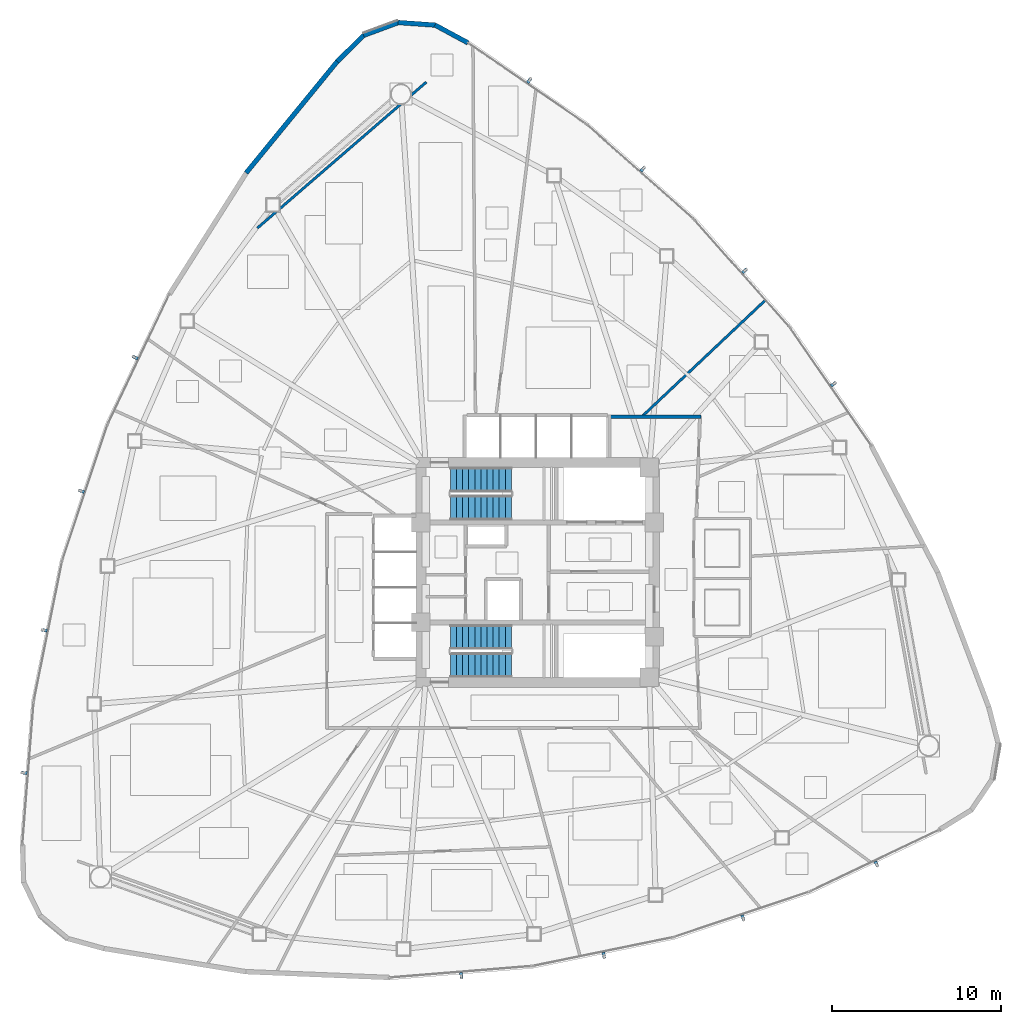
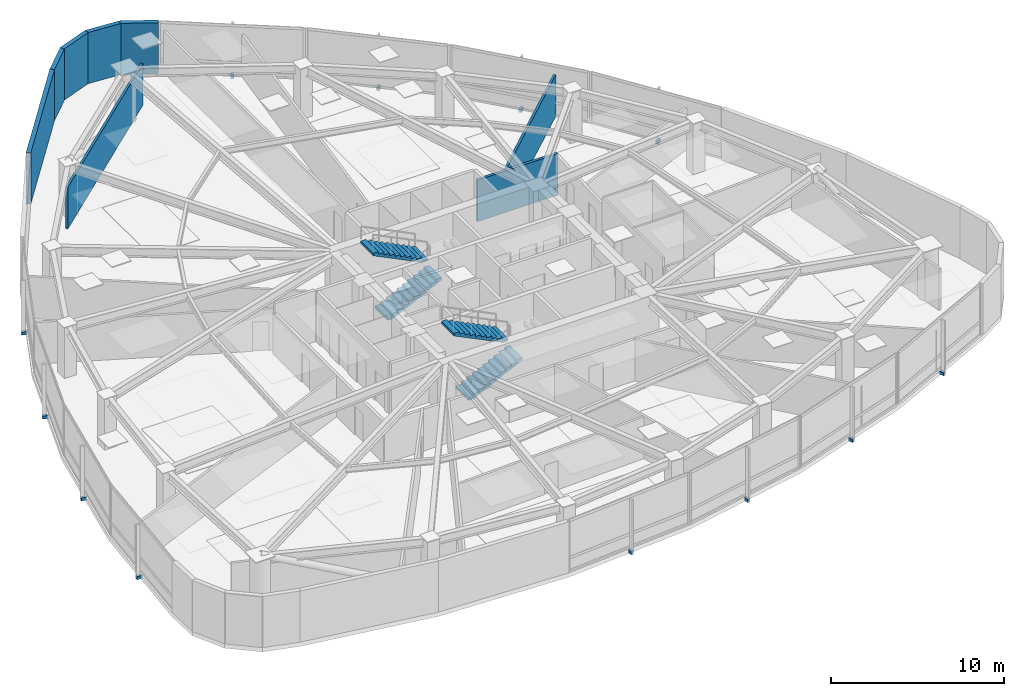
# One storey, part 14 of 18: 12 discrete accessories, 8 walls, 4 stair flights, 2 elements without a shape of their own.
"""IFC4 building model written with IfcOpenShell, lengths in metres."""

from ifc_helpers import new_model, si_unit, direction, frame, frame_2d, origin, origin_2d, place, context, subcontext, project, spatial, polyline, rectangle, outline, extrude, source, transform, mapped, material, layer, layer_set, type_object, type_shapes, element, aggregate, save


model = new_model("IFC4")

# Units and contexts
model_context = context("Model", 3, precision=1e-05, world=origin(), true_north=direction((0.0, 1.0)))
body_context = subcontext(model_context, "Body", "Model", "MODEL_VIEW")
ifc_project = project(units=[si_unit("LENGTHUNIT", "METRE"), si_unit("AREAUNIT", "SQUARE_METRE"), si_unit("VOLUMEUNIT", "CUBIC_METRE"), si_unit("PLANEANGLEUNIT", "RADIAN"), si_unit("MASSUNIT", "GRAM", prefix="KILO")], contexts=[model_context])

# Site, building, storey
site_placement = place(None, origin())
site = spatial("IfcSite", under=ifc_project, at=site_placement, CompositionType="ELEMENT")
building_placement = place(site_placement, origin())
building = spatial("IfcBuilding", under=site, at=building_placement, Name="Tavelor Broadcast Tower", CompositionType="ELEMENT")
storey_placement = place(building_placement, frame((0.0, 0.0, 58.800048828125)))
storey = spatial("IfcBuildingStorey", under=building, at=storey_placement, Name="L13", CompositionType="ELEMENT", Elevation=58.800048828125)

# Walls
ifc_material_1 = material(Name="Calcium Silicate Fire Board 180 mm", Category="gypsum")
ifc_layer_1 = layer(ifc_material_1, 0.179931640625)
ifc_layer_set_1 = layer_set([ifc_layer_1], Name="Calcium Silicate Fire Board 180 mm")
wall_type_1 = type_object("IfcWallType", Name="Fire-Rated Corridor Partition Wall 180 mm", PredefinedType="PARTITIONING", material=ifc_layer_set_1)
wall_1_placement = place(storey_placement, frame((54.300048828125, 54.199951171875, 0.0), z_axis=(0.0, 0.0, 1.0), x_axis=(1.0, 0.0, 0.0)))
element("IfcWall", 1, at=wall_1_placement, inside=storey, type_object=wall_type_1, Name="L13 Corridor Compartment Wall 01", PredefinedType="PARTITIONING", context=body_context, shape_type="SweptSolid", body=[
    extrude(rectangle(XDim=5.349853515625, YDim=0.179931640625, at=frame_2d((2.6748046875, 0.0))), origin(), (0.0, 0.0, 1.0), 2.925048828125),
])
ifc_material_2 = material(Name="Precast Concrete C40/50", Category="concrete")
ifc_layer_2 = layer(ifc_material_2, 0.280029296875)
ifc_layer_set_2 = layer_set([ifc_layer_2], Name="Precast Concrete C40/50")
wall_type_2 = type_object("IfcWallType", Name="Insulated Precast Terracotta Facade Wall 280 mm", PredefinedType="STANDARD", material=ifc_layer_set_2)
wall_2_placement = place(storey_placement, frame((45.88525390625, 76.303955078125, 0.0), z_axis=(0.0, 0.0, 1.0), x_axis=(-0.880039691387, 0.474900138538, 0.0)))
element("IfcWall", 2, at=wall_2_placement, inside=storey, type_object=wall_type_2, Name="L13 Rounded Corner Structural Cladding Pier 01", PredefinedType="STANDARD", context=body_context, shape_type="SweptSolid", body=[
    extrude(rectangle(XDim=2.21875, YDim=0.280029296875, at=frame_2d((1.109375, 0.0))), origin(), (0.0, 0.0, 1.0), 3.599853515625),
])
for number, where, z_axis, x_axis, name in (
    (3, (43.960693359375, 77.349365234375, 0.0), (0.0, 0.0, 1.0), (-0.997498965978, 0.070681064456, 0.0), "L13 Rounded Corner Structural Cladding Pier 02"),
    (4, (41.7880859375, 77.509521484375, 0.0), (0.0, 0.0, 1.0), (-0.938197621568, -0.346100018614, 0.0), "L13 Rounded Corner Structural Cladding Pier 03"),
):
    element("IfcWall", number, at=place(storey_placement, frame(where, z_axis=z_axis, x_axis=x_axis)), inside=storey, type_object=wall_type_2, Name=name, PredefinedType="STANDARD", context=body_context, shape_type="SweptSolid", body=[
        extrude(rectangle(XDim=2.207275390625, YDim=0.280029296875, at=frame_2d((1.103515625, 0.0))), origin(), (0.0, 0.0, 1.0), 3.599853515625),
    ])
wall_3_placement = place(storey_placement, frame((39.741943359375, 76.76123046875, 0.0), z_axis=(0.0, 0.0, 1.0), x_axis=(-0.712614822796, -0.701555496259, 0.0)))
element("IfcWall", 5, at=wall_3_placement, inside=storey, type_object=wall_type_2, Name="L13 Rounded Corner Structural Cladding Pier 04", PredefinedType="STANDARD", context=body_context, shape_type="SweptSolid", body=[
    extrude(rectangle(XDim=2.229736328125, YDim=0.280029296875, at=frame_2d((1.11474609375, 0.0))), origin(), (0.0, 0.0, 1.0), 3.599853515625),
])
wall_4_placement = place(storey_placement, frame((38.173095703125, 75.218994140625, 0.0), z_axis=(0.0, 0.0, 1.0), x_axis=(-0.633046073418, -0.774114118803, 0.0)))
element("IfcWall", 6, at=wall_4_placement, inside=storey, type_object=wall_type_2, Name="L13 Rounded Corner Structural Cladding Pier 05", PredefinedType="STANDARD", context=body_context, shape_type="SweptSolid", body=[
    extrude(rectangle(XDim=8.530517578125, YDim=0.280029296875, at=frame_2d((4.26513671875, 0.0))), origin(), (0.0, 0.0, 1.0), 3.599853515625),
])
ifc_material_3 = material(Name="Gypsum Acoustic Plasterboard 150 mm", Category="gypsum")
ifc_layer_3 = layer(ifc_material_3, 0.14990234375)
ifc_layer_set_3 = layer_set([ifc_layer_3], Name="Gypsum Acoustic Plasterboard 150 mm")
wall_type_3 = type_object("IfcWallType", Name="Interior Acoustic Partition Wall 150 mm", PredefinedType="PARTITIONING", material=ifc_layer_set_3)
wall_5_placement = place(storey_placement, frame((43.42138671875, 73.9794921875, 0.0), z_axis=(0.0, 0.0, 1.0), x_axis=(-0.756659135409, -0.653809569218, 0.0)))
element("IfcWall", 7, at=wall_5_placement, inside=storey, type_object=wall_type_3, Name="L13 Corner Tube Brace Furring Wall 1", PredefinedType="PARTITIONING", context=body_context, shape_type="SweptSolid", body=[
    extrude(rectangle(XDim=13.200439453125, YDim=0.14990234375, at=frame_2d((6.60009765625, 0.0))), origin(), (0.0, 0.0, 1.0), 2.925048828125),
])
wall_6_placement = place(storey_placement, frame((56.156494140625, 54.199951171875, 0.0), z_axis=(0.0, 0.0, 1.0), x_axis=(0.727558283454, 0.686045876146, 0.0)))
element("IfcWall", 8, at=wall_6_placement, inside=storey, type_object=wall_type_3, Name="L13 Radial Compartment Wall 13", PredefinedType="PARTITIONING", context=body_context, shape_type="SweptSolid", body=[
    extrude(rectangle(XDim=10.068603515625, YDim=0.14990234375, at=frame_2d((5.0341796875, 0.0))), origin(), (0.0, 0.0, 1.0), 2.925048828125),
])

# Stair, stair flights
ifc_material_4 = material(Name="Concrete C40/50", Category="concrete")
stair_type = type_object("IfcStairType", Name="Reinforced Concrete Protected Dogleg Stair 1450 mm", PredefinedType="HALF_TURN_STAIR", material=ifc_material_4)
stair_1_placement = place(storey_placement, origin())
stair_1 = element("IfcStair", 9, at=stair_1_placement, inside=storey, type_object=stair_type, Name="L13 Protected Core Exit Stair ST1", PredefinedType="HALF_TURN_STAIR")
stair_flight_type = type_object("IfcStairFlightType", Name="Reinforced Concrete Stair Flight 1450 mm", PredefinedType="STRAIGHT", material=ifc_material_4)
stair_flight_1_placement = place(storey_placement, frame((44.85009765625, 48.824951171875, 0.0), z_axis=(0.0, 0.0, 1.0), x_axis=(1.0, 0.0, 0.0)))
stair_flight_1 = element("IfcStairFlight", 10, at=stair_flight_1_placement, type_object=stair_flight_type, Name="ST1 flight 1", NumberOfRisers=11, NumberOfTreads=10, PredefinedType="STRAIGHT", RiserHeight=0.177272727, TreadLength=0.36, context=body_context, shape_type="SweptSolid", body=[
    extrude(outline(polyline([(0.0, 0.0), (0.0, 0.17724609375), (0.360107421875, 0.17724609375), (0.360107421875, 0.3544921875), (0.719970703125, 0.3544921875), (0.719970703125, 0.53173828125), (1.080078125, 0.53173828125), (1.080078125, 0.708984375), (1.43994140625, 0.708984375), (1.43994140625, 0.886474609375), (1.800048828125, 0.886474609375), (1.800048828125, 1.063720703125), (2.159912109375, 1.063720703125), (2.159912109375, 1.240966796875), (2.52001953125, 1.240966796875), (2.52001953125, 1.418212890625), (2.8798828125, 1.418212890625), (2.8798828125, 1.595458984375), (3.239990234375, 1.595458984375), (3.239990234375, 1.772705078125), (3.60009765625, 1.772705078125), (3.60009765625, 1.949951171875), (3.60009765625, 1.605712890625), (0.33935546875, 0.0), (0.0, 0.0)])), frame((0.0, 0.72509765625, 0.0), z_axis=(0.0, -1.0, 0.0), x_axis=(1.0, 0.0, 0.0)), (0.0, 0.0, 1.0), 1.449951171875),
])
stair_flight_2_placement = place(storey_placement, frame((48.449951171875, 50.47509765625, 1.949951171875), z_axis=(0.0, 0.0, 1.0), x_axis=(-1.0, 0.0, 0.0)))
stair_flight_2 = element("IfcStairFlight", 11, at=stair_flight_2_placement, type_object=stair_flight_type, Name="ST1 flight 2", NumberOfRisers=11, NumberOfTreads=10, PredefinedType="STRAIGHT", RiserHeight=0.177272727, TreadLength=0.36, context=body_context, shape_type="SweptSolid", body=[
    extrude(outline(polyline([(0.0, 0.0), (0.0, 0.17724609375), (0.360107421875, 0.17724609375), (0.360107421875, 0.3544921875), (0.719970703125, 0.3544921875), (0.719970703125, 0.53173828125), (1.080078125, 0.53173828125), (1.080078125, 0.708984375), (1.43994140625, 0.708984375), (1.43994140625, 0.886474609375), (1.800048828125, 0.886474609375), (1.800048828125, 1.063720703125), (2.159912109375, 1.063720703125), (2.159912109375, 1.240966796875), (2.52001953125, 1.240966796875), (2.52001953125, 1.418212890625), (2.8798828125, 1.418212890625), (2.8798828125, 1.595458984375), (3.239990234375, 1.595458984375), (3.239990234375, 1.772705078125), (3.60009765625, 1.772705078125), (3.60009765625, 1.949951171875), (3.60009765625, 1.605712890625), (0.33935546875, 0.0), (0.0, 0.0)])), frame((0.0, 0.72509765625, 0.0), z_axis=(0.0, -1.0, 0.0), x_axis=(1.0, 0.0, 0.0)), (0.0, 0.0, 1.0), 1.449951171875),
])
aggregate(stair_1, [stair_flight_1, stair_flight_2])

stair_2_placement = place(storey_placement, origin())
stair_2 = element("IfcStair", 12, at=stair_2_placement, inside=storey, type_object=stair_type, Name="L13 Protected Core Exit Stair ST2", PredefinedType="HALF_TURN_STAIR")
stair_flight_3_placement = place(storey_placement, frame((44.85009765625, 39.52490234375, 0.0), z_axis=(0.0, 0.0, 1.0), x_axis=(1.0, 0.0, 0.0)))
stair_flight_3 = element("IfcStairFlight", 13, at=stair_flight_3_placement, type_object=stair_flight_type, Name="ST2 flight 1", NumberOfRisers=11, NumberOfTreads=10, PredefinedType="STRAIGHT", RiserHeight=0.177272727, TreadLength=0.36, context=body_context, shape_type="SweptSolid", body=[
    extrude(outline(polyline([(0.0, 0.0), (0.0, 0.17724609375), (0.360107421875, 0.17724609375), (0.360107421875, 0.3544921875), (0.719970703125, 0.3544921875), (0.719970703125, 0.53173828125), (1.080078125, 0.53173828125), (1.080078125, 0.708984375), (1.43994140625, 0.708984375), (1.43994140625, 0.886474609375), (1.800048828125, 0.886474609375), (1.800048828125, 1.063720703125), (2.159912109375, 1.063720703125), (2.159912109375, 1.240966796875), (2.52001953125, 1.240966796875), (2.52001953125, 1.418212890625), (2.8798828125, 1.418212890625), (2.8798828125, 1.595458984375), (3.239990234375, 1.595458984375), (3.239990234375, 1.772705078125), (3.60009765625, 1.772705078125), (3.60009765625, 1.949951171875), (3.60009765625, 1.605712890625), (0.33935546875, 0.0), (0.0, 0.0)])), frame((0.0, 0.72509765625, 0.0), z_axis=(0.0, -1.0, 0.0), x_axis=(1.0, 0.0, 0.0)), (0.0, 0.0, 1.0), 1.449951171875),
])
stair_flight_4_placement = place(storey_placement, frame((48.449951171875, 41.175048828125, 1.949951171875), z_axis=(0.0, 0.0, 1.0), x_axis=(-1.0, 0.0, 0.0)))
stair_flight_4 = element("IfcStairFlight", 14, at=stair_flight_4_placement, type_object=stair_flight_type, Name="ST2 flight 2", NumberOfRisers=11, NumberOfTreads=10, PredefinedType="STRAIGHT", RiserHeight=0.177272727, TreadLength=0.36, context=body_context, shape_type="SweptSolid", body=[
    extrude(outline(polyline([(0.0, 0.0), (0.0, 0.17724609375), (0.360107421875, 0.17724609375), (0.360107421875, 0.3544921875), (0.719970703125, 0.3544921875), (0.719970703125, 0.53173828125), (1.080078125, 0.53173828125), (1.080078125, 0.708984375), (1.43994140625, 0.708984375), (1.43994140625, 0.886474609375), (1.800048828125, 0.886474609375), (1.800048828125, 1.063720703125), (2.159912109375, 1.063720703125), (2.159912109375, 1.240966796875), (2.52001953125, 1.240966796875), (2.52001953125, 1.418212890625), (2.8798828125, 1.418212890625), (2.8798828125, 1.595458984375), (3.239990234375, 1.595458984375), (3.239990234375, 1.772705078125), (3.60009765625, 1.772705078125), (3.60009765625, 1.949951171875), (3.60009765625, 1.605712890625), (0.33935546875, 0.0), (0.0, 0.0)])), frame((0.0, 0.72509765625, 0.0), z_axis=(0.0, -1.0, 0.0), x_axis=(1.0, 0.0, 0.0)), (0.0, 0.0, 1.0), 1.449951171875),
])
aggregate(stair_2, [stair_flight_3, stair_flight_4])

# Discrete accessories
ifc_material_5 = material(Name="Steel S355", Category="steel")
discrete_accessory_type = type_object("IfcDiscreteAccessoryType", Name="Stainless Baguette Outrigger Support Bracket 260x180", PredefinedType="BRACKET", material=ifc_material_5)
shared_shape = source(origin(), body_context, "Body", "SweptSolid", [
    extrude(rectangle(XDim=0.179931640625, YDim=0.340087890625, at=origin_2d()), origin(), (0.0, 0.0, 1.0), 0.216064453125),
])
type_shapes(discrete_accessory_type, [shared_shape])
for number, where, z_axis, x_axis, name in (
    (15, (26.217529296875, 57.69970703125, -0.25830078125), (0.0, 0.0, 1.0), (-0.428619783775, -0.903484964433, 0.0), "L13 Baguette Outrigger Bracket 109"),
    (16, (23.043212890625, 49.80322265625, -0.25830078125), (0.0, 0.0, 1.0), (-0.315980237922, -0.948765771538, 0.0), "L13 Baguette Outrigger Bracket 110"),
    (17, (20.84765625, 41.580810546875, -0.25830078125), (0.0, 0.0, 1.0), (-0.198854819736, -0.980028959096, 0.0), "L13 Baguette Outrigger Bracket 111"),
    (18, (19.663330078125, 33.153076171875, -0.25830078125), (0.0, 0.0, 1.0), (-0.078807080738, -0.996889885607, 0.0), "L13 Baguette Outrigger Bracket 112"),
    (19, (45.4931640625, 21.171630859375, -0.25830078125), (0.0, 0.0, 1.0), (0.996750823024, 0.080546860903, 0.0), "L13 Baguette Outrigger Bracket 113"),
    (20, (53.918701171875, 22.370849609375, -0.25830078125), (0.0, 0.0, 1.0), (0.979645379354, 0.200735972635, 0.0), "L13 Baguette Outrigger Bracket 114"),
    (21, (62.137451171875, 24.580810546875, -0.25830078125), (0.0, 0.0, 1.0), (0.94815738489, 0.317801153992, 0.0), "L13 Baguette Outrigger Bracket 115"),
    (22, (70.028076171875, 27.768798828125, -0.25830078125), (0.0, 0.0, 1.0), (0.90273550608, 0.430196008887, 0.0), "L13 Baguette Outrigger Bracket 116"),
    (23, (67.489501953125, 56.12890625, -0.25830078125), (0.0, 0.0, 1.0), (-0.568131039249, 0.82293810353, 0.0), "L13 Baguette Outrigger Bracket 117"),
    (24, (62.238037109375, 62.825927734375, -0.25830078125), (0.0, 0.0, 1.0), (-0.663665141432, 0.748029798903, 0.0), "L13 Baguette Outrigger Bracket 118"),
    (25, (56.215087890625, 68.838623046875, -0.25830078125), (0.0, 0.0, 1.0), (-0.749302565154, 0.662227805105, 0.0), "L13 Baguette Outrigger Bracket 119"),
    (26, (49.508544921875, 74.078125, -0.25830078125), (0.0, 0.0, 1.0), (-0.823928425343, 0.56669387672, 0.0), "L13 Baguette Outrigger Bracket 120"),
):
    element("IfcDiscreteAccessory", number, at=place(storey_placement, frame(where, z_axis=z_axis, x_axis=x_axis)), inside=storey, type_object=discrete_accessory_type, Name=name, PredefinedType="BRACKET", context=body_context, shape_type="MappedRepresentation", body=[
        mapped(shared_shape, transform((0.0, 0.0, 0.0), scale=1.0)),
    ])

save(model, "model.ifc")
